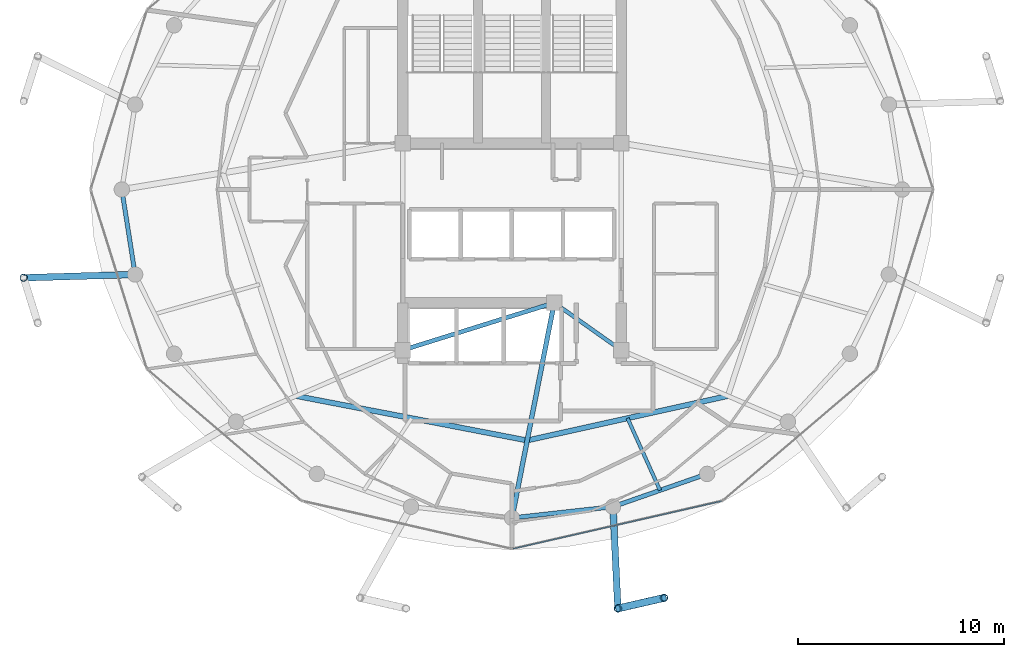
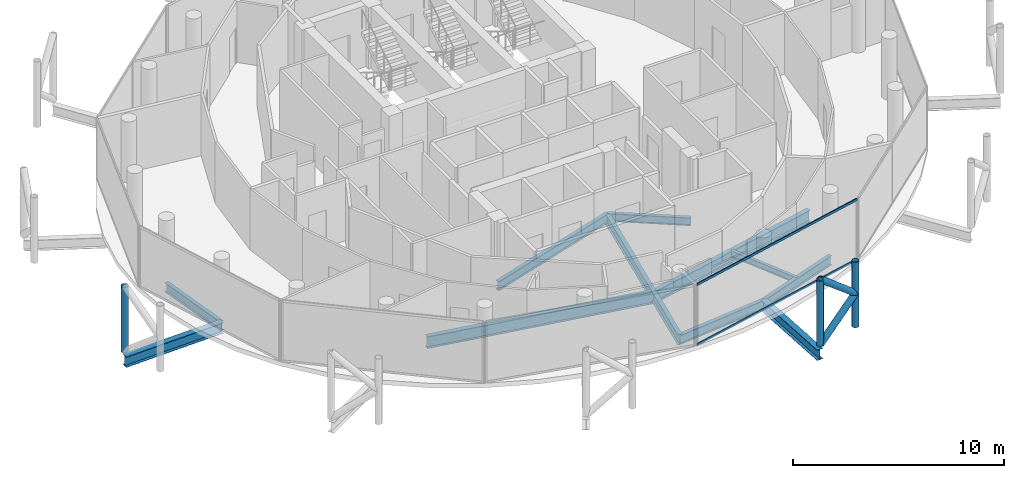
# One storey, part 5 of 24: 11 beams, 7 members, 1 element without a shape of its own.
"""IFC4 building model written with IfcOpenShell, lengths in metres."""

from ifc_helpers import new_model, si_unit, direction, frame, origin, origin_2d, place, context, subcontext, project, spatial, hollow_rectangle, hollow_circle, i_section, extrude, material, layer, layer_set, material_profile, profile_set, type_object, element, aggregate, save


model = new_model("IFC4")

# Units and contexts
model_context = context("Model", 3, precision=1e-05, world=origin(), true_north=direction((0.0, 1.0)))
body_context = subcontext(model_context, "Body", "Model", "MODEL_VIEW")
ifc_project = project(units=[si_unit("LENGTHUNIT", "METRE"), si_unit("AREAUNIT", "SQUARE_METRE"), si_unit("VOLUMEUNIT", "CUBIC_METRE"), si_unit("PLANEANGLEUNIT", "RADIAN"), si_unit("MASSUNIT", "GRAM", prefix="KILO")], contexts=[model_context])

# Site, building, storey
site_placement = place(None, origin())
site = spatial("IfcSite", under=ifc_project, at=site_placement, CompositionType="ELEMENT")
building_placement = place(site_placement, origin())
building = spatial("IfcBuilding", under=site, at=building_placement, Name="Nuhasar Tower", CompositionType="ELEMENT")
storey_placement = place(building_placement, frame((0.0, 0.0, 267.0)))
storey = spatial("IfcBuildingStorey", under=building, at=storey_placement, Name="L66", CompositionType="ELEMENT", Elevation=267.0)

# Beams
ifc_material_1 = material(Name="Steel S355", Category="steel")
ifc_material_profile_1 = material_profile(ifc_material_1, i_section(OverallWidth=0.25390625, OverallDepth=0.68408203125, WebThickness=0.012451171875, FlangeThickness=0.018798828125, at=origin_2d()), Name="W27X94")
ifc_profile_set_1 = profile_set([ifc_material_profile_1], Name="Steel S355")
beam_type_1 = type_object("IfcBeamType", Name="BM-INRING-W27X94", PredefinedType="BEAM", material=ifc_profile_set_1)
beam_1_placement = place(storey_placement, frame((28.51611328125, 16.77392578125, -0.60205078125), z_axis=(0.981944682954, -0.189168283859, 0.0), x_axis=(0.189168283859, 0.981944682954, 0.0)))
element("IfcBeam", 1, at=beam_1_placement, inside=storey, type_object=beam_type_1, Name="L66 Inner Header Beam 01", PredefinedType="BEAM", context=body_context, shape_type="SweptSolid", body=[
    extrude(i_section(OverallWidth=0.25390625, OverallDepth=0.68408203125, WebThickness=0.012451171875, FlangeThickness=0.018798828125, at=origin_2d()), origin(), (0.0, 0.0, 1.0), 11.42822265625),
])
beam_2_placement = place(storey_placement, frame((39.738037109375, 14.612060546875, -0.60205078125), z_axis=(0.97626927806, 0.216560145726, 0.0), x_axis=(-0.216560145726, 0.97626927806, 0.0)))
element("IfcBeam", 2, at=beam_2_placement, inside=storey, type_object=beam_type_1, Name="L66 Inner Header Beam 02", PredefinedType="BEAM", context=body_context, shape_type="SweptSolid", body=[
    extrude(i_section(OverallWidth=0.25390625, OverallDepth=0.68408203125, WebThickness=0.012451171875, FlangeThickness=0.018798828125, at=origin_2d()), origin(), (0.0, 0.0, 1.0), 9.982666015625),
])
ifc_material_profile_2 = material_profile(ifc_material_1, i_section(OverallWidth=0.1708984375, OverallDepth=0.35205078125, WebThickness=0.0068359375, FlangeThickness=0.009765625, at=origin_2d()), Name="W14X30")
ifc_profile_set_2 = profile_set([ifc_material_profile_2], Name="Steel S355")
beam_type_2 = type_object("IfcBeamType", Name="BM-JST-W14X30", PredefinedType="JOIST", material=ifc_profile_set_2)
beam_3_placement = place(storey_placement, frame((44.611083984375, 15.693115234375, -0.43603515625), z_axis=(0.41089033708, -0.911684776057, 0.0), x_axis=(0.911684776057, 0.41089033708, 0.0)))
element("IfcBeam", 3, at=beam_3_placement, inside=storey, type_object=beam_type_2, Name="L66 Secondary Floor Joist 02", PredefinedType="JOIST", context=body_context, shape_type="SweptSolid", body=[
    extrude(i_section(OverallWidth=0.1708984375, OverallDepth=0.35205078125, WebThickness=0.0068359375, FlangeThickness=0.009765625, at=origin_2d()), origin(), (0.0, 0.0, 1.0), 3.842529296875),
])
ifc_material_profile_3 = material_profile(ifc_material_1, i_section(OverallWidth=0.18994140625, OverallDepth=0.45703125, WebThickness=0.009033203125, FlangeThickness=0.014404296875, at=origin_2d()), Name="W18X50")
ifc_profile_set_3 = profile_set([ifc_material_profile_3], Name="Steel S355")
beam_type_3 = type_object("IfcBeamType", Name="BM-RAD-W18X50", PredefinedType="BEAM", material=ifc_profile_set_3)
beam_4_placement = place(storey_placement, frame((41.050048828125, 21.300048828125, -0.488037109375), z_axis=(0.816265428953, -0.577677028708, 0.0), x_axis=(0.577677028708, 0.816265428953, 0.0)))
element("IfcBeam", 4, at=beam_4_placement, inside=storey, type_object=beam_type_3, Name="L66 Core Ring Girder 2", PredefinedType="BEAM", context=body_context, shape_type="SweptSolid", body=[
    extrude(i_section(OverallWidth=0.18994140625, OverallDepth=0.45703125, WebThickness=0.009033203125, FlangeThickness=0.014404296875, at=origin_2d()), origin(), (0.0, 0.0, 1.0), 3.9814453125),
])
ifc_material_profile_4 = material_profile(ifc_material_1, i_section(OverallWidth=0.208984375, OverallDepth=0.528076171875, WebThickness=0.009521484375, FlangeThickness=0.01318359375, at=origin_2d()), Name="W21X55")
ifc_profile_set_4 = profile_set([ifc_material_profile_4], Name="Steel S355")
beam_type_4 = type_object("IfcBeamType", Name="BM-RAD-W21X55", PredefinedType="BEAM", material=ifc_profile_set_4)
beam_5_placement = place(storey_placement, frame((33.699951171875, 19.0, -0.52392578125), z_axis=(0.954363709454, 0.298646798205, 0.0), x_axis=(-0.298646798205, 0.954363709454, 0.0)))
element("IfcBeam", 5, at=beam_5_placement, inside=storey, type_object=beam_type_4, Name="L66 Core Ring Girder 1", PredefinedType="BEAM", context=body_context, shape_type="SweptSolid", body=[
    extrude(i_section(OverallWidth=0.208984375, OverallDepth=0.528076171875, WebThickness=0.009521484375, FlangeThickness=0.01318359375, at=origin_2d()), origin(), (0.0, 0.0, 1.0), 7.70166015625),
])
ifc_material_profile_5 = material_profile(ifc_material_1, i_section(OverallWidth=0.22900390625, OverallDepth=0.612060546875, WebThickness=0.011962890625, FlangeThickness=0.01953125, at=origin_2d()), Name="W24X84")
ifc_profile_set_5 = profile_set([ifc_material_profile_5], Name="Steel S355")
beam_type_5 = type_object("IfcBeamType", Name="BM-RAD-W24X84", PredefinedType="BEAM", material=ifc_profile_set_5)
beam_6_placement = place(storey_placement, frame((41.050048828125, 21.300048828125, -0.56591796875), z_axis=(-0.192508395576, -0.981295326409, 0.0), x_axis=(0.981295326409, -0.192508395576, 0.0)))
element("IfcBeam", 6, at=beam_6_placement, inside=storey, type_object=beam_type_5, Name="L66 Radial Floor Girder 02", PredefinedType="BEAM", context=body_context, shape_type="SweptSolid", body=[
    extrude(i_section(OverallWidth=0.22900390625, OverallDepth=0.612060546875, WebThickness=0.011962890625, FlangeThickness=0.01953125, at=origin_2d()), origin(), (0.0, 0.0, 1.0), 10.649169921875),
])
ifc_material_profile_6 = material_profile(ifc_material_1, i_section(OverallWidth=0.2099609375, OverallDepth=0.537109375, WebThickness=0.010986328125, FlangeThickness=0.017333984375, at=origin_2d()), Name="W21X68")
ifc_profile_set_6 = profile_set([ifc_material_profile_6], Name="Steel S355")
beam_type_6 = type_object("IfcBeamType", Name="BM-RING-W21X68", PredefinedType="SPANDREL", material=ifc_profile_set_6)
beam_7_placement = place(storey_placement, frame((20.050048828125, 26.800048828125, -0.529052734375), z_axis=(0.154612165232, -0.987975241776, 0.0), x_axis=(0.987975241776, 0.154612165232, 0.0)))
element("IfcBeam", 7, at=beam_7_placement, inside=storey, type_object=beam_type_6, Name="L66 Perimeter Ring Spandrel 13", PredefinedType="SPANDREL", context=body_context, shape_type="SweptSolid", body=[
    extrude(i_section(OverallWidth=0.2099609375, OverallDepth=0.537109375, WebThickness=0.010986328125, FlangeThickness=0.017333984375, at=origin_2d()), origin(), (0.0, 0.0, 1.0), 4.17822265625),
])
beam_8_placement = place(storey_placement, frame((39.0, 10.85009765625, -0.529052734375), z_axis=(0.99392889943, 0.110024283128, 0.0), x_axis=(-0.110024283128, 0.99392889943, 0.0)))
element("IfcBeam", 8, at=beam_8_placement, inside=storey, type_object=beam_type_6, Name="L66 Perimeter Ring Spandrel 19", PredefinedType="SPANDREL", context=body_context, shape_type="SweptSolid", body=[
    extrude(i_section(OverallWidth=0.2099609375, OverallDepth=0.537109375, WebThickness=0.010986328125, FlangeThickness=0.017333984375, at=origin_2d()), origin(), (0.0, 0.0, 1.0), 4.93505859375),
])
beam_9_placement = place(storey_placement, frame((43.905029296875, 11.39306640625, -0.529052734375), z_axis=(0.944214043504, 0.329332415729, 0.0), x_axis=(-0.329332415729, 0.944214043504, 0.0)))
element("IfcBeam", 9, at=beam_9_placement, inside=storey, type_object=beam_type_6, Name="L66 Perimeter Ring Spandrel 20", PredefinedType="SPANDREL", context=body_context, shape_type="SweptSolid", body=[
    extrude(i_section(OverallWidth=0.2099609375, OverallDepth=0.537109375, WebThickness=0.010986328125, FlangeThickness=0.017333984375, at=origin_2d()), origin(), (0.0, 0.0, 1.0), 4.840087890625),
])
ifc_material_profile_7 = material_profile(ifc_material_1, i_section(OverallWidth=0.323974609375, OverallDepth=0.611083984375, WebThickness=0.0126953125, FlangeThickness=0.01904296875, at=origin_2d()), Name="W24X104")
ifc_profile_set_7 = profile_set([ifc_material_profile_7], Name="Steel S355")
beam_type_7 = type_object("IfcBeamType", Name="BM-TIE-W24X104", PredefinedType="BEAM", material=ifc_profile_set_7)
beam_10_placement = place(storey_placement, frame((20.696044921875, 22.672119140625, -0.56494140625), z_axis=(-0.999573346236, -0.029208312065, 0.0), x_axis=(0.029208312065, -0.999573346236, 0.0)))
element("IfcBeam", 10, at=beam_10_placement, inside=storey, type_object=beam_type_7, Name="L66 Exoskeleton Node Tie Beam 07", PredefinedType="BEAM", context=body_context, shape_type="SweptSolid", body=[
    extrude(i_section(OverallWidth=0.323974609375, OverallDepth=0.611083984375, WebThickness=0.0126953125, FlangeThickness=0.01904296875, at=origin_2d()), origin(), (0.0, 0.0, 1.0), 5.416259765625),
])
beam_11_placement = place(storey_placement, frame((43.905029296875, 11.39306640625, -0.56494140625), z_axis=(0.048109027225, -0.998842090372, 0.0), x_axis=(0.998842090372, 0.048109027225, 0.0)))
element("IfcBeam", 11, at=beam_11_placement, inside=storey, type_object=beam_type_7, Name="L66 Exoskeleton Node Tie Beam 10", PredefinedType="BEAM", context=body_context, shape_type="SweptSolid", body=[
    extrude(i_section(OverallWidth=0.323974609375, OverallDepth=0.611083984375, WebThickness=0.0126953125, FlangeThickness=0.01904296875, at=origin_2d()), origin(), (0.0, 0.0, 1.0), 4.94775390625),
])

# Curtain wall, members
ifc_material_2 = material(Name="Aluminium 6063-T6", Category="aluminium")
ifc_layer = layer(ifc_material_2, 0.18994140625)
ifc_layer_set = layer_set([ifc_layer], Name="Aluminium 6063-T6")
curtain_wall_type = type_object("IfcCurtainWallType", Name="CW-Z4-PEN", PredefinedType="NOTDEFINED", material=ifc_layer_set)
curtain_wall_placement = place(storey_placement, origin())
curtain_wall = element("IfcCurtainWall", 12, at=curtain_wall_placement, inside=storey, type_object=curtain_wall_type, Name="L66 Unitised Curtain Wall 10", PredefinedType="NOTDEFINED")
ifc_material_profile_8 = material_profile(ifc_material_2, hollow_rectangle(XDim=0.06005859375, YDim=0.135009765625, WallThickness=0.00439453125, at=origin_2d()), Name="CWT-5")
ifc_profile_set_8 = profile_set([ifc_material_profile_8], Name="Aluminium 6063-T6")
member_type_1 = type_object("IfcMemberType", Name="CW-TRN-S5", PredefinedType="USERDEFINED", material=ifc_profile_set_8)
member_1_placement = place(storey_placement, frame((39.05859375, 9.353271484375, 0.030029296875), z_axis=(0.974843752401, 0.222889341163, 0.0), x_axis=(-0.222889341163, 0.974843752401, 0.0)))
member_1 = element("IfcMember", 13, at=member_1_placement, type_object=member_type_1, Name="CW-Z4 transom 1.1", ObjectType="TRANSOM", PredefinedType="USERDEFINED", context=body_context, shape_type="SweptSolid", body=[
    extrude(hollow_rectangle(XDim=0.06005859375, YDim=0.135009765625, WallThickness=0.00439453125, at=origin_2d()), origin(), (0.0, 0.0, 1.0), 10.3740234375),
])
member_2_placement = place(storey_placement, frame((39.05859375, 9.353271484375, 3.510009765625), z_axis=(0.974843752401, 0.222889341163, 0.0), x_axis=(-0.222889341163, 0.974843752401, 0.0)))
member_2 = element("IfcMember", 14, at=member_2_placement, type_object=member_type_1, Name="CW-Z4 transom 1.2", ObjectType="TRANSOM", PredefinedType="USERDEFINED", context=body_context, shape_type="SweptSolid", body=[
    extrude(hollow_rectangle(XDim=0.06005859375, YDim=0.135009765625, WallThickness=0.00439453125, at=origin_2d()), origin(), (0.0, 0.0, 1.0), 10.3740234375),
])
aggregate(curtain_wall, [member_1, member_2])

# Members
ifc_material_3 = material(Name="Steel S460", Category="steel")
ifc_material_profile_9 = material_profile(ifc_material_3, hollow_circle(Radius=0.177734375, WallThickness=0.015869140625, at=origin_2d()), Name="HSS355.6X15.9")
ifc_profile_set_9 = profile_set([ifc_material_profile_9], Name="Steel S460")
member_type_2 = type_object("IfcMemberType", Name="EXO-BRONZE-356", PredefinedType="BRACE", material=ifc_profile_set_9)
for number, where, z_axis, x_axis, name in (
    (15, (15.281982421875, 22.513916015625, 0.0), (0.0, 0.0, 1.0), (1.0, 0.0, 0.0), "L66 Exoskeleton Chord Column EC-07A"),
    (16, (44.14306640625, 6.450927734375, 0.0), (0.0, 0.0, 1.0), (1.0, 0.0, 0.0), "L66 Exoskeleton Chord Column EC-10A"),
    (17, (46.384033203125, 6.967041015625, 0.0), (0.0, 0.0, 1.0), (1.0, 0.0, 0.0), "L66 Exoskeleton Chord Column EC-10B"),
):
    element("IfcMember", number, at=place(storey_placement, frame(where, z_axis=z_axis, x_axis=x_axis)), inside=storey, type_object=member_type_2, Name=name, PredefinedType="BRACE", context=body_context, shape_type="SweptSolid", body=[
        extrude(hollow_circle(Radius=0.177734375, WallThickness=0.015869140625, at=origin_2d()), origin(), (0.0, 0.0, 1.0), 3.800048828125),
    ])
member_3_placement = place(storey_placement, frame((44.14306640625, 6.450927734375, 0.0), z_axis=(0.751260978137, 0.173021648086, 0.636922642103), x_axis=(-0.224433035437, 0.97448951385, 0.0)))
element("IfcMember", 18, at=member_3_placement, inside=storey, type_object=member_type_2, Name="L66 Bronze Diagrid Brace W1-10", PredefinedType="BRACE", context=body_context, shape_type="SweptSolid", body=[
    extrude(hollow_circle(Radius=0.177734375, WallThickness=0.015869140625, at=origin_2d()), origin(), (0.0, 0.0, 1.0), 2.98291015625),
])
member_4_placement = place(storey_placement, frame((46.384033203125, 6.967041015625, 1.89990234375), z_axis=(-0.751221815951, -0.173012628709, 0.636971281571), x_axis=(0.224433035437, -0.97448951385, 0.0)))
element("IfcMember", 19, at=member_4_placement, inside=storey, type_object=member_type_2, Name="L66 Bronze Diagrid Brace W2-10", PredefinedType="BRACE", context=body_context, shape_type="SweptSolid", body=[
    extrude(hollow_circle(Radius=0.177734375, WallThickness=0.015869140625, at=origin_2d()), origin(), (0.0, 0.0, 1.0), 2.983154296875),
])

save(model, "model.ifc")
